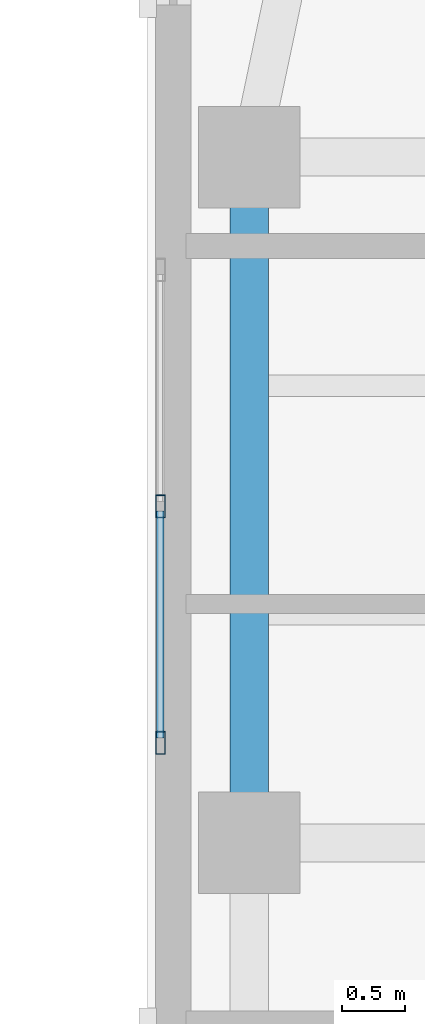
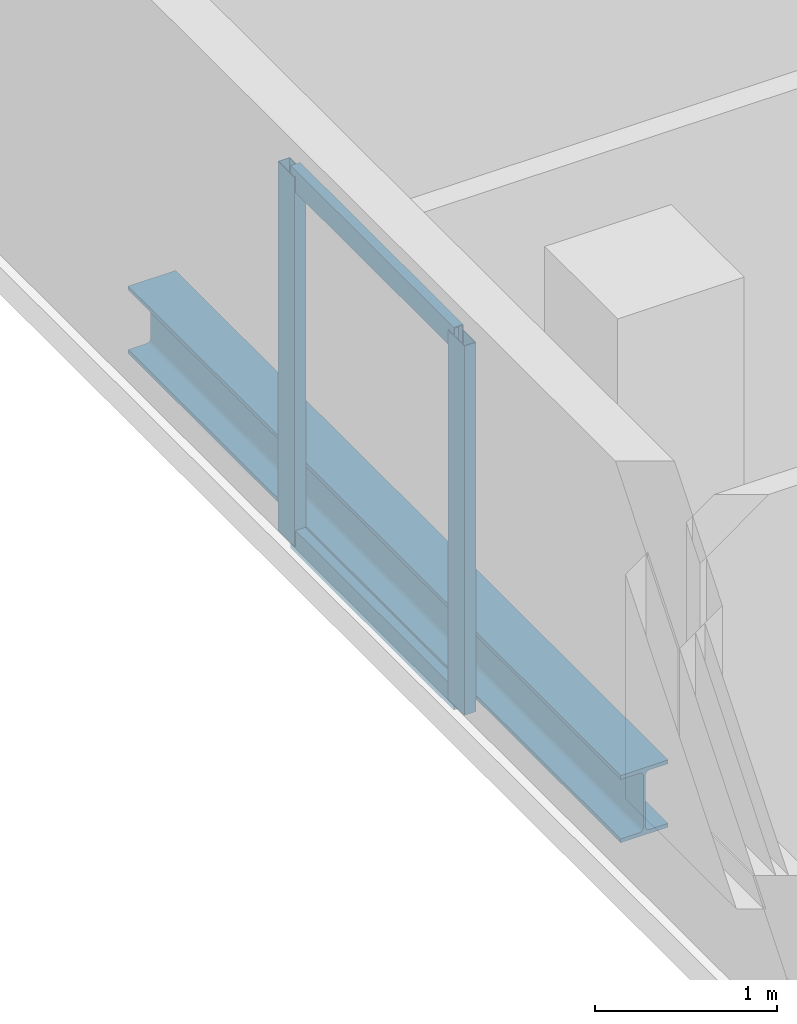
# One storey, part 4 of 11: 4 members, 1 beam, 1 element without a shape of its own.
"""IFC4 building model written with IfcOpenShell, lengths in metres."""

from ifc_helpers import new_model, si_unit, direction, frame, origin, origin_2d, place, context, subcontext, project, spatial, hollow_rectangle, i_section, extrude, material, material_profile, profile_set, type_object, element, aggregate, save


model = new_model("IFC4")

# Units and contexts
model_context = context("Model", 3, precision=1e-05, world=origin(), true_north=direction((0.0, 1.0)))
body_context = subcontext(model_context, "Body", "Model", "MODEL_VIEW")
ifc_project = project(units=[si_unit("LENGTHUNIT", "METRE"), si_unit("AREAUNIT", "SQUARE_METRE"), si_unit("VOLUMEUNIT", "CUBIC_METRE"), si_unit("PLANEANGLEUNIT", "RADIAN"), si_unit("MASSUNIT", "GRAM", prefix="KILO")], contexts=[model_context])

# Site, building, storey
site_placement = place(None, origin())
site = spatial("IfcSite", under=ifc_project, at=site_placement, CompositionType="ELEMENT")
building_placement = place(site_placement, origin())
building = spatial("IfcBuilding", under=site, at=building_placement, Name="Kuzgunbayir Cultural Tower", CompositionType="ELEMENT")
storey_placement = place(building_placement, frame((0.0, 0.0, 237.60009765625)))
storey = spatial("IfcBuildingStorey", under=building, at=storey_placement, Name="L70", CompositionType="ELEMENT", Elevation=237.60009765625)

# Beam
ifc_material_1 = material(Name="Steel S355J2", Category="steel")
ifc_material_profile_1 = material_profile(ifc_material_1, i_section(OverallWidth=0.300048828125, OverallDepth=0.449951171875, WebThickness=0.013916015625, FlangeThickness=0.02587890625, FilletRadius=0.027099609375, at=origin_2d()), Name="HEB 450")
ifc_profile_set_1 = profile_set([ifc_material_profile_1], Name="Steel S355J2")
beam_type = type_object("IfcBeamType", Name="BM-EXT-HEB450", PredefinedType="BEAM", material=ifc_profile_set_1)
beam_placement = place(storey_placement, frame((5.39990234375, 23.39990234375, -0.41015625), z_axis=(0.0, 1.0, 0.0), x_axis=(-1.0, 0.0, 0.0)))
element("IfcBeam", 1, at=beam_placement, inside=storey, type_object=beam_type, Name="L70 Wing A West Girder 3", PredefinedType="BEAM", context=body_context, shape_type="SweptSolid", body=[
    extrude(i_section(OverallWidth=0.300048828125, OverallDepth=0.449951171875, WebThickness=0.013916015625, FlangeThickness=0.02587890625, FilletRadius=0.027099609375, at=origin_2d()), origin(), (0.0, 0.0, 1.0), 5.400146484375),
])

# Curtain wall, members
ifc_material_2 = material(Name="Anodised Aluminium Framing", Category="aluminium")
curtain_wall_type = type_object("IfcCurtainWallType", Name="CW06-OBSERVATORY", PredefinedType="NOTDEFINED", material=ifc_material_2)
curtain_wall_placement = place(storey_placement, origin())
curtain_wall = element("IfcCurtainWall", 2, at=curtain_wall_placement, inside=storey, type_object=curtain_wall_type, Name="L70 Crown Observatory West Curtain Wall", PredefinedType="NOTDEFINED")
ifc_material_profile_2 = material_profile(ifc_material_2, hollow_rectangle(XDim=0.074951171875, YDim=0.179931640625, WallThickness=0.0048828125, at=origin_2d()), Name="RHS 180x75x5")
ifc_profile_set_2 = profile_set([ifc_material_profile_2], Name="Anodised Aluminium Framing")
member_type_1 = type_object("IfcMemberType", Name="MEM-CW-MULLION-180", PredefinedType="MULLION", material=ifc_profile_set_2)
member_1_placement = place(storey_placement, frame((4.699951171875, 24.1875, 0.0), z_axis=(0.0, 0.0, 1.0), x_axis=(-1.0, 0.0, 0.0)))
member_1 = element("IfcMember", 3, at=member_1_placement, type_object=member_type_1, Name="CW06 mullion 1", PredefinedType="MULLION", context=body_context, shape_type="SweptSolid", body=[
    extrude(hollow_rectangle(XDim=0.074951171875, YDim=0.179931640625, WallThickness=0.0048828125, at=origin_2d()), origin(), (0.0, 0.0, 1.0), 2.469970703125),
])
member_2_placement = place(storey_placement, frame((4.699951171875, 26.050048828125, 0.0), z_axis=(0.0, 0.0, 1.0), x_axis=(-1.0, 0.0, 0.0)))
member_2 = element("IfcMember", 4, at=member_2_placement, type_object=member_type_1, Name="CW06 mullion 2", PredefinedType="MULLION", context=body_context, shape_type="SweptSolid", body=[
    extrude(hollow_rectangle(XDim=0.074951171875, YDim=0.179931640625, WallThickness=0.0048828125, at=origin_2d()), origin(), (0.0, 0.0, 1.0), 2.469970703125),
])
ifc_material_profile_3 = material_profile(ifc_material_2, hollow_rectangle(XDim=0.06005859375, YDim=0.14990234375, WallThickness=0.00390625, at=origin_2d()), Name="RHS 150x60x4")
ifc_profile_set_3 = profile_set([ifc_material_profile_3], Name="Anodised Aluminium Framing")
member_type_2 = type_object("IfcMemberType", Name="MEM-CW-TRANSOM-150", PredefinedType="USERDEFINED", material=ifc_profile_set_3)
member_3_placement = place(storey_placement, frame((4.699951171875, 24.22509765625, 0.02978515625), z_axis=(0.0, 1.0, 0.0), x_axis=(-1.0, 0.0, 0.0)))
member_3 = element("IfcMember", 5, at=member_3_placement, type_object=member_type_2, Name="CW06 transom 1.1", ObjectType="TRANSOM", PredefinedType="USERDEFINED", context=body_context, shape_type="SweptSolid", body=[
    extrude(hollow_rectangle(XDim=0.06005859375, YDim=0.14990234375, WallThickness=0.00390625, at=origin_2d()), origin(), (0.0, 0.0, 1.0), 1.787353515625),
])
member_4_placement = place(storey_placement, frame((4.699951171875, 24.22509765625, 2.43994140625), z_axis=(0.0, 1.0, 0.0), x_axis=(-1.0, 0.0, 0.0)))
member_4 = element("IfcMember", 6, at=member_4_placement, type_object=member_type_2, Name="CW06 transom 1.2", ObjectType="TRANSOM", PredefinedType="USERDEFINED", context=body_context, shape_type="SweptSolid", body=[
    extrude(hollow_rectangle(XDim=0.06005859375, YDim=0.14990234375, WallThickness=0.00390625, at=origin_2d()), origin(), (0.0, 0.0, 1.0), 1.787353515625),
])
aggregate(curtain_wall, [member_1, member_2, member_3, member_4])

save(model, "model.ifc")
